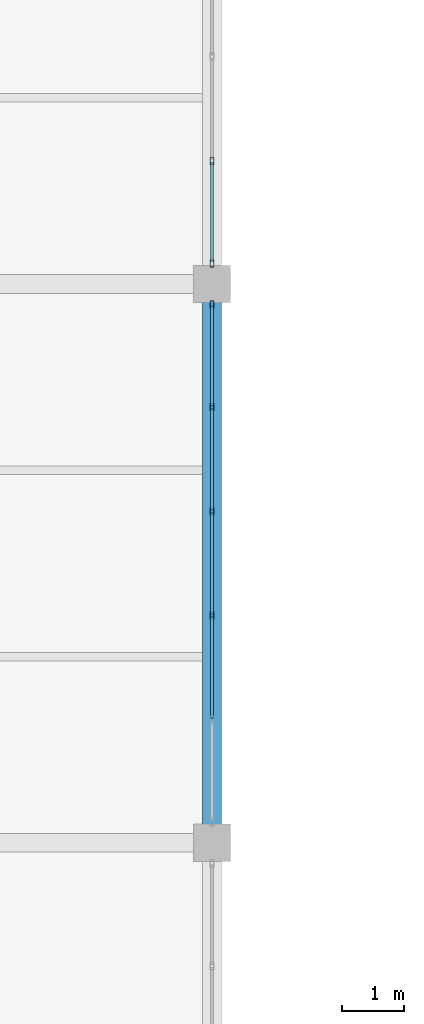
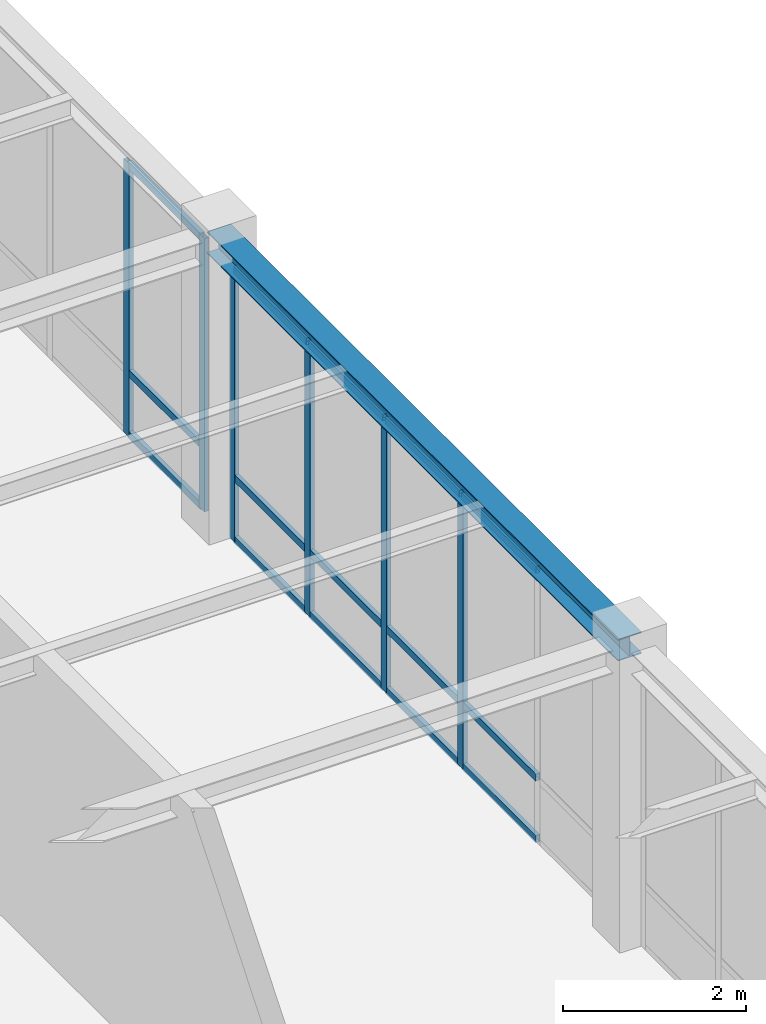
# One storey, part 59 of 130: 21 members, 1 beam, 2 elements without a shape of their own.
"""IFC4 building model written with IfcOpenShell, lengths in metres."""

from ifc_helpers import new_model, si_unit, direction, frame, origin, origin_2d, place, context, subcontext, project, spatial, hollow_rectangle, i_section, extrude, material, material_profile, profile_set, type_object, element, aggregate, save


model = new_model("IFC4")

# Units and contexts
model_context = context("Model", 3, precision=1e-05, world=origin(), true_north=direction((0.0, 1.0)))
body_context = subcontext(model_context, "Body", "Model", "MODEL_VIEW")
ifc_project = project(units=[si_unit("LENGTHUNIT", "METRE"), si_unit("AREAUNIT", "SQUARE_METRE"), si_unit("VOLUMEUNIT", "CUBIC_METRE"), si_unit("PLANEANGLEUNIT", "RADIAN"), si_unit("MASSUNIT", "GRAM", prefix="KILO")], contexts=[model_context])

# Site, building, storey
site_placement = place(None, origin())
site = spatial("IfcSite", under=ifc_project, at=site_placement, CompositionType="ELEMENT")
building_placement = place(site_placement, origin())
building = spatial("IfcBuilding", under=site, at=building_placement, Name="Lykobir Media Centre", CompositionType="ELEMENT")
storey_placement = place(building_placement, frame((0.0, 0.0, 19.199951171875)))
storey = spatial("IfcBuildingStorey", under=building, at=storey_placement, Name="L04", CompositionType="ELEMENT", Elevation=19.199951171875)

# Beam
ifc_material_1 = material(Name="Steel S355", Category="steel")
ifc_material_profile_1 = material_profile(ifc_material_1, i_section(OverallWidth=0.300048828125, OverallDepth=0.2900390625, WebThickness=0.008544921875, FlangeThickness=0.013916015625, at=origin_2d()), Name="HEA 300")
ifc_profile_set_1 = profile_set([ifc_material_profile_1], Name="Steel S355")
beam_type = type_object("IfcBeamType", Name="BM-HEA300", PredefinedType="BEAM", material=ifc_profile_set_1)
beam_placement = place(storey_placement, frame((99.0, 45.0, 3.81494140625), z_axis=(0.0, 1.0, 0.0), x_axis=(-1.0, 0.0, 0.0)))
element("IfcBeam", 1, at=beam_placement, inside=storey, type_object=beam_type, Name="Beam BM-L04-0990-0450-0990-0540-2302", PredefinedType="BEAM", context=body_context, shape_type="SweptSolid", body=[
    extrude(i_section(OverallWidth=0.300048828125, OverallDepth=0.2900390625, WebThickness=0.008544921875, FlangeThickness=0.013916015625, at=origin_2d()), origin(), (0.0, 0.0, 1.0), 9.0),
])

# Curtain wall, members
ifc_material_2 = material(Name="Anodized Aluminium AW-6060", Category="aluminium")
curtain_wall_type = type_object("IfcCurtainWallType", Name="CW-COURT-B", PredefinedType="NOTDEFINED", material=ifc_material_2)
curtain_wall_1_placement = place(storey_placement, origin())
curtain_wall_1 = element("IfcCurtainWall", 2, at=curtain_wall_1_placement, inside=storey, type_object=curtain_wall_type, Name="Curtain wall CW2-L04-0175", PredefinedType="NOTDEFINED")
ifc_material_profile_2 = material_profile(ifc_material_2, hollow_rectangle(XDim=0.054931640625, YDim=0.1201171875, WallThickness=0.003173828125, at=origin_2d()), Name="ALU MULLION 55x120")
ifc_profile_set_2 = profile_set([ifc_material_profile_2], Name="Anodized Aluminium AW-6060")
member_type_1 = type_object("IfcMemberType", Name="CWM-120", PredefinedType="MULLION", material=ifc_profile_set_2)
member_1_placement = place(storey_placement, frame((99.0, 53.66748046875, 0.0), z_axis=(0.0, 0.0, 1.0), x_axis=(1.0, 0.0, 0.0)))
member_1 = element("IfcMember", 3, at=member_1_placement, type_object=member_type_1, Name="CW2-L04-0175 mullion 1", PredefinedType="MULLION", context=body_context, shape_type="SweptSolid", body=[
    extrude(hollow_rectangle(XDim=0.054931640625, YDim=0.1201171875, WallThickness=0.003173828125, at=origin_2d()), origin(), (0.0, 0.0, 1.0), 3.655029296875),
])
member_2_placement = place(storey_placement, frame((99.0, 52.01708984375, 0.0), z_axis=(0.0, 0.0, 1.0), x_axis=(1.0, 0.0, 0.0)))
member_2 = element("IfcMember", 4, at=member_2_placement, type_object=member_type_1, Name="CW2-L04-0175 mullion 2", PredefinedType="MULLION", context=body_context, shape_type="SweptSolid", body=[
    extrude(hollow_rectangle(XDim=0.054931640625, YDim=0.1201171875, WallThickness=0.003173828125, at=origin_2d()), origin(), (0.0, 0.0, 1.0), 3.655029296875),
])
member_3_placement = place(storey_placement, frame((99.0, 50.339111328125, 0.0), z_axis=(0.0, 0.0, 1.0), x_axis=(1.0, 0.0, 0.0)))
member_3 = element("IfcMember", 5, at=member_3_placement, type_object=member_type_1, Name="CW2-L04-0175 mullion 3", PredefinedType="MULLION", context=body_context, shape_type="SweptSolid", body=[
    extrude(hollow_rectangle(XDim=0.054931640625, YDim=0.1201171875, WallThickness=0.003173828125, at=origin_2d()), origin(), (0.0, 0.0, 1.0), 3.655029296875),
])
member_4_placement = place(storey_placement, frame((99.0, 48.660888671875, 0.0), z_axis=(0.0, 0.0, 1.0), x_axis=(1.0, 0.0, 0.0)))
member_4 = element("IfcMember", 6, at=member_4_placement, type_object=member_type_1, Name="CW2-L04-0175 mullion 4", PredefinedType="MULLION", context=body_context, shape_type="SweptSolid", body=[
    extrude(hollow_rectangle(XDim=0.054931640625, YDim=0.1201171875, WallThickness=0.003173828125, at=origin_2d()), origin(), (0.0, 0.0, 1.0), 3.655029296875),
])

curtain_wall_2_placement = place(storey_placement, origin())
curtain_wall_2 = element("IfcCurtainWall", 7, at=curtain_wall_2_placement, inside=storey, type_object=curtain_wall_type, Name="Curtain wall CW2-L04-0176", PredefinedType="NOTDEFINED")
member_5_placement = place(storey_placement, frame((99.0, 55.98291015625, 0.0), z_axis=(0.0, 0.0, 1.0), x_axis=(1.0, 0.0, 0.0)))
member_5 = element("IfcMember", 8, at=member_5_placement, type_object=member_type_1, Name="CW2-L04-0176 mullion 5", PredefinedType="MULLION", context=body_context, shape_type="SweptSolid", body=[
    extrude(hollow_rectangle(XDim=0.054931640625, YDim=0.1201171875, WallThickness=0.003173828125, at=origin_2d()), origin(), (0.0, 0.0, 1.0), 3.655029296875),
])
member_6_placement = place(storey_placement, frame((99.0, 54.33251953125, 0.0), z_axis=(0.0, 0.0, 1.0), x_axis=(1.0, 0.0, 0.0)))
member_6 = element("IfcMember", 9, at=member_6_placement, type_object=member_type_1, Name="CW2-L04-0176 mullion 6", PredefinedType="MULLION", context=body_context, shape_type="SweptSolid", body=[
    extrude(hollow_rectangle(XDim=0.054931640625, YDim=0.1201171875, WallThickness=0.003173828125, at=origin_2d()), origin(), (0.0, 0.0, 1.0), 3.655029296875),
])

# Member
ifc_material_profile_3 = material_profile(ifc_material_2, hollow_rectangle(XDim=0.054931640625, YDim=0.094970703125, WallThickness=0.0029296875, at=origin_2d()), Name="ALU TRANSOM 55x95")
ifc_profile_set_3 = profile_set([ifc_material_profile_3], Name="Anodized Aluminium AW-6060")
member_type_2 = type_object("IfcMemberType", Name="CWT-095", PredefinedType="USERDEFINED", material=ifc_profile_set_3)
member_7_placement = place(storey_placement, frame((99.0, 53.639892578125, 0.027587890625), z_axis=(0.0, -1.0, 0.0), x_axis=(1.0, 0.0, 0.0)))
member_7 = element("IfcMember", 10, at=member_7_placement, type_object=member_type_2, Name="CW2-L04-0175 transom 1.1", ObjectType="TRANSOM", PredefinedType="USERDEFINED", context=body_context, shape_type="SweptSolid", body=[
    extrude(hollow_rectangle(XDim=0.054931640625, YDim=0.094970703125, WallThickness=0.0029296875, at=origin_2d()), origin(), (0.0, 0.0, 1.0), 1.595458984375),
])

member_8_placement = place(storey_placement, frame((99.0, 53.639892578125, 0.85009765625), z_axis=(0.0, -1.0, 0.0), x_axis=(1.0, 0.0, 0.0)))
member_8 = element("IfcMember", 11, at=member_8_placement, type_object=member_type_2, Name="CW2-L04-0175 transom 1.2", ObjectType="TRANSOM", PredefinedType="USERDEFINED", context=body_context, shape_type="SweptSolid", body=[
    extrude(hollow_rectangle(XDim=0.054931640625, YDim=0.094970703125, WallThickness=0.0029296875, at=origin_2d()), origin(), (0.0, 0.0, 1.0), 1.595458984375),
])

member_9_placement = place(storey_placement, frame((99.0, 53.639892578125, 3.62744140625), z_axis=(0.0, -1.0, 0.0), x_axis=(1.0, 0.0, 0.0)))
member_9 = element("IfcMember", 12, at=member_9_placement, type_object=member_type_2, Name="CW2-L04-0175 transom 1.3", ObjectType="TRANSOM", PredefinedType="USERDEFINED", context=body_context, shape_type="SweptSolid", body=[
    extrude(hollow_rectangle(XDim=0.054931640625, YDim=0.094970703125, WallThickness=0.0029296875, at=origin_2d()), origin(), (0.0, 0.0, 1.0), 1.595458984375),
])

member_10_placement = place(storey_placement, frame((99.0, 51.989501953125, 0.027587890625), z_axis=(0.0, -1.0, 0.0), x_axis=(1.0, 0.0, 0.0)))
member_10 = element("IfcMember", 13, at=member_10_placement, type_object=member_type_2, Name="CW2-L04-0175 transom 2.1", ObjectType="TRANSOM", PredefinedType="USERDEFINED", context=body_context, shape_type="SweptSolid", body=[
    extrude(hollow_rectangle(XDim=0.054931640625, YDim=0.094970703125, WallThickness=0.0029296875, at=origin_2d()), origin(), (0.0, 0.0, 1.0), 1.623046875),
])

member_11_placement = place(storey_placement, frame((99.0, 51.989501953125, 0.85009765625), z_axis=(0.0, -1.0, 0.0), x_axis=(1.0, 0.0, 0.0)))
member_11 = element("IfcMember", 14, at=member_11_placement, type_object=member_type_2, Name="CW2-L04-0175 transom 2.2", ObjectType="TRANSOM", PredefinedType="USERDEFINED", context=body_context, shape_type="SweptSolid", body=[
    extrude(hollow_rectangle(XDim=0.054931640625, YDim=0.094970703125, WallThickness=0.0029296875, at=origin_2d()), origin(), (0.0, 0.0, 1.0), 1.623046875),
])

member_12_placement = place(storey_placement, frame((99.0, 51.989501953125, 3.62744140625), z_axis=(0.0, -1.0, 0.0), x_axis=(1.0, 0.0, 0.0)))
member_12 = element("IfcMember", 15, at=member_12_placement, type_object=member_type_2, Name="CW2-L04-0175 transom 2.3", ObjectType="TRANSOM", PredefinedType="USERDEFINED", context=body_context, shape_type="SweptSolid", body=[
    extrude(hollow_rectangle(XDim=0.054931640625, YDim=0.094970703125, WallThickness=0.0029296875, at=origin_2d()), origin(), (0.0, 0.0, 1.0), 1.623046875),
])

member_13_placement = place(storey_placement, frame((99.0, 50.3115234375, 0.027587890625), z_axis=(0.0, -1.0, 0.0), x_axis=(1.0, 0.0, 0.0)))
member_13 = element("IfcMember", 16, at=member_13_placement, type_object=member_type_2, Name="CW2-L04-0175 transom 3.1", ObjectType="TRANSOM", PredefinedType="USERDEFINED", context=body_context, shape_type="SweptSolid", body=[
    extrude(hollow_rectangle(XDim=0.054931640625, YDim=0.094970703125, WallThickness=0.0029296875, at=origin_2d()), origin(), (0.0, 0.0, 1.0), 1.623046875),
])

member_14_placement = place(storey_placement, frame((99.0, 50.3115234375, 0.85009765625), z_axis=(0.0, -1.0, 0.0), x_axis=(1.0, 0.0, 0.0)))
member_14 = element("IfcMember", 17, at=member_14_placement, type_object=member_type_2, Name="CW2-L04-0175 transom 3.2", ObjectType="TRANSOM", PredefinedType="USERDEFINED", context=body_context, shape_type="SweptSolid", body=[
    extrude(hollow_rectangle(XDim=0.054931640625, YDim=0.094970703125, WallThickness=0.0029296875, at=origin_2d()), origin(), (0.0, 0.0, 1.0), 1.623046875),
])

member_15_placement = place(storey_placement, frame((99.0, 50.3115234375, 3.62744140625), z_axis=(0.0, -1.0, 0.0), x_axis=(1.0, 0.0, 0.0)))
member_15 = element("IfcMember", 18, at=member_15_placement, type_object=member_type_2, Name="CW2-L04-0175 transom 3.3", ObjectType="TRANSOM", PredefinedType="USERDEFINED", context=body_context, shape_type="SweptSolid", body=[
    extrude(hollow_rectangle(XDim=0.054931640625, YDim=0.094970703125, WallThickness=0.0029296875, at=origin_2d()), origin(), (0.0, 0.0, 1.0), 1.623046875),
])

member_16_placement = place(storey_placement, frame((99.0, 48.633544921875, 0.027587890625), z_axis=(0.0, -1.0, 0.0), x_axis=(1.0, 0.0, 0.0)))
member_16 = element("IfcMember", 19, at=member_16_placement, type_object=member_type_2, Name="CW2-L04-0175 transom 4.1", ObjectType="TRANSOM", PredefinedType="USERDEFINED", context=body_context, shape_type="SweptSolid", body=[
    extrude(hollow_rectangle(XDim=0.054931640625, YDim=0.094970703125, WallThickness=0.0029296875, at=origin_2d()), origin(), (0.0, 0.0, 1.0), 1.623046875),
])

member_17_placement = place(storey_placement, frame((99.0, 48.633544921875, 0.85009765625), z_axis=(0.0, -1.0, 0.0), x_axis=(1.0, 0.0, 0.0)))
member_17 = element("IfcMember", 20, at=member_17_placement, type_object=member_type_2, Name="CW2-L04-0175 transom 4.2", ObjectType="TRANSOM", PredefinedType="USERDEFINED", context=body_context, shape_type="SweptSolid", body=[
    extrude(hollow_rectangle(XDim=0.054931640625, YDim=0.094970703125, WallThickness=0.0029296875, at=origin_2d()), origin(), (0.0, 0.0, 1.0), 1.623046875),
])

member_18_placement = place(storey_placement, frame((99.0, 48.633544921875, 3.62744140625), z_axis=(0.0, -1.0, 0.0), x_axis=(1.0, 0.0, 0.0)))
member_18 = element("IfcMember", 21, at=member_18_placement, type_object=member_type_2, Name="CW2-L04-0175 transom 4.3", ObjectType="TRANSOM", PredefinedType="USERDEFINED", context=body_context, shape_type="SweptSolid", body=[
    extrude(hollow_rectangle(XDim=0.054931640625, YDim=0.094970703125, WallThickness=0.0029296875, at=origin_2d()), origin(), (0.0, 0.0, 1.0), 1.623046875),
])

aggregate(curtain_wall_1, [member_1, member_2, member_3, member_4, member_7, member_8, member_9, member_10, member_11, member_12, member_13, member_14, member_15, member_16, member_17, member_18])

member_19_placement = place(storey_placement, frame((99.0, 55.95556640625, 0.027587890625), z_axis=(0.0, -1.0, 0.0), x_axis=(1.0, 0.0, 0.0)))
member_19 = element("IfcMember", 22, at=member_19_placement, type_object=member_type_2, Name="CW2-L04-0176 transom 5.1", ObjectType="TRANSOM", PredefinedType="USERDEFINED", context=body_context, shape_type="SweptSolid", body=[
    extrude(hollow_rectangle(XDim=0.054931640625, YDim=0.094970703125, WallThickness=0.0029296875, at=origin_2d()), origin(), (0.0, 0.0, 1.0), 1.595458984375),
])

member_20_placement = place(storey_placement, frame((99.0, 55.95556640625, 0.85009765625), z_axis=(0.0, -1.0, 0.0), x_axis=(1.0, 0.0, 0.0)))
member_20 = element("IfcMember", 23, at=member_20_placement, type_object=member_type_2, Name="CW2-L04-0176 transom 5.2", ObjectType="TRANSOM", PredefinedType="USERDEFINED", context=body_context, shape_type="SweptSolid", body=[
    extrude(hollow_rectangle(XDim=0.054931640625, YDim=0.094970703125, WallThickness=0.0029296875, at=origin_2d()), origin(), (0.0, 0.0, 1.0), 1.595458984375),
])

member_21_placement = place(storey_placement, frame((99.0, 55.95556640625, 3.62744140625), z_axis=(0.0, -1.0, 0.0), x_axis=(1.0, 0.0, 0.0)))
member_21 = element("IfcMember", 24, at=member_21_placement, type_object=member_type_2, Name="CW2-L04-0176 transom 5.3", ObjectType="TRANSOM", PredefinedType="USERDEFINED", context=body_context, shape_type="SweptSolid", body=[
    extrude(hollow_rectangle(XDim=0.054931640625, YDim=0.094970703125, WallThickness=0.0029296875, at=origin_2d()), origin(), (0.0, 0.0, 1.0), 1.595458984375),
])

aggregate(curtain_wall_2, [member_5, member_6, member_19, member_20, member_21])

save(model, "model.ifc")
